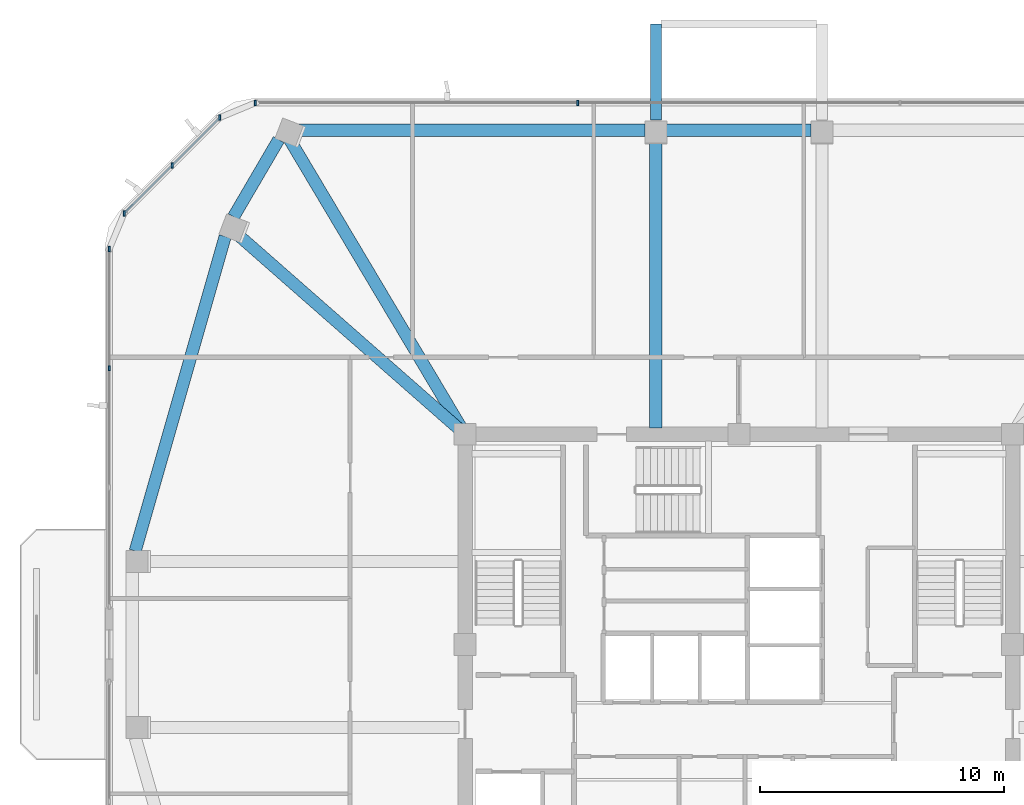
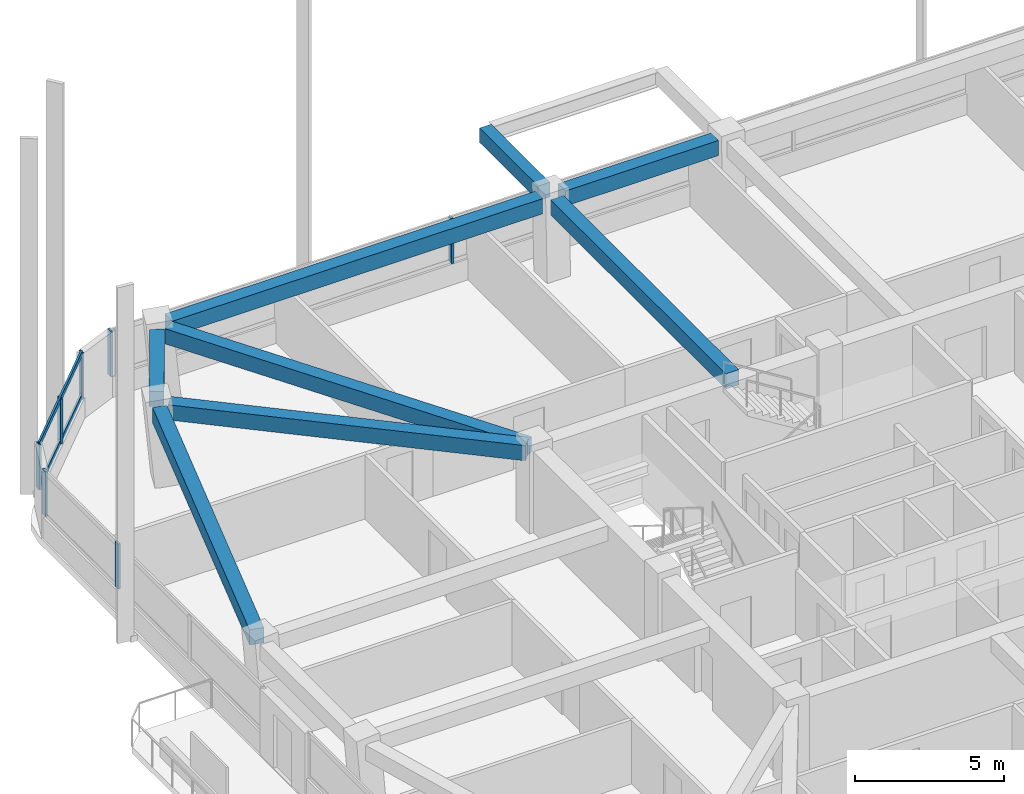
# One storey, part 6 of 17: 9 members, 8 beams, 3 elements without a shape of their own.
"""IFC4 building model written with IfcOpenShell, lengths in metres."""

from ifc_helpers import new_model, si_unit, derived_unit, direction, frame, origin, origin_2d, place, context, subcontext, project, spatial, rectangle, extrude, material, material_profile, profile_set, type_object, element, aggregate, save


model = new_model("IFC4")

# Units and contexts
model_context = context("Model", 3, precision=1e-05, world=origin(), true_north=direction((0.0, 1.0)))
body_context = subcontext(model_context, "Body", "Model", "MODEL_VIEW")
ifc_project = project(units=[si_unit("LENGTHUNIT", "METRE"), si_unit("AREAUNIT", "SQUARE_METRE"), si_unit("VOLUMEUNIT", "CUBIC_METRE"), si_unit("PLANEANGLEUNIT", "RADIAN"), si_unit("MASSUNIT", "GRAM", prefix="KILO"), derived_unit("THERMALTRANSMITTANCEUNIT", [(si_unit("POWERUNIT", "WATT"), 1), (si_unit("LENGTHUNIT", "METRE"), -2), (si_unit("THERMODYNAMICTEMPERATUREUNIT", "KELVIN"), -1)])], contexts=[model_context])

# Site, building, storey
site_placement = place(None, origin())
site = spatial("IfcSite", under=ifc_project, at=site_placement, CompositionType="ELEMENT")
building_placement = place(site_placement, origin())
building = spatial("IfcBuilding", under=site, at=building_placement, Name="Koralith Skygarden Medical Center", CompositionType="ELEMENT")
storey_placement = place(building_placement, frame((0.0, 0.0, 207.179931640625)))
storey = spatial("IfcBuildingStorey", under=building, at=storey_placement, Name="L53", CompositionType="ELEMENT", Elevation=207.179931640625)

# Curtain wall, members
ifc_material_1 = material(Name="Clear Laminated Glass", Category="glass")
curtain_wall_type = type_object("IfcCurtainWallType", Name="CW-5 Zone 4 Flare Biophilic Curtain Wall", PredefinedType="NOTDEFINED", material=ifc_material_1)
curtain_wall_1_placement = place(storey_placement, origin())
curtain_wall_1 = element("IfcCurtainWall", 1, at=curtain_wall_1_placement, inside=storey, type_object=curtain_wall_type, Name="Curtain Wall CW-L53-N", PredefinedType="NOTDEFINED")
ifc_material_2 = material(Name="Aluminium 6063-T6", Category="aluminium")
ifc_material_profile_1 = material_profile(ifc_material_2, rectangle(XDim=0.080078125, YDim=0.219970703125, at=origin_2d()), Name="MUL80X220")
ifc_profile_set_1 = profile_set([ifc_material_profile_1], Name="Aluminium 6063-T6")
member_type_1 = type_object("IfcMemberType", Name="CW-5 Extruded Mullion 80x220", PredefinedType="MULLION", material=ifc_profile_set_1)
member_1_placement = place(storey_placement, frame((30.407958984375, 48.056884765625, 0.85009765625), z_axis=(0.0, 0.0, 1.0), x_axis=(1.0, 0.0, 0.0)))
member_1 = element("IfcMember", 2, at=member_1_placement, type_object=member_type_1, Name="CW-L53-N Mullion 3", PredefinedType="MULLION", context=body_context, shape_type="SweptSolid", body=[
    extrude(rectangle(XDim=0.080078125, YDim=0.219970703125, at=origin_2d()), origin(), (0.0, 0.0, 1.0), 1.840087890625),
])
member_2_placement = place(storey_placement, frame((17.222900390625, 48.056884765625, 0.85009765625), z_axis=(0.0, 0.0, 1.0), x_axis=(1.0, 0.0, 0.0)))
member_2 = element("IfcMember", 3, at=member_2_placement, type_object=member_type_1, Name="CW-L53-N Mullion 4", PredefinedType="MULLION", context=body_context, shape_type="SweptSolid", body=[
    extrude(rectangle(XDim=0.080078125, YDim=0.219970703125, at=origin_2d()), origin(), (0.0, 0.0, 1.0), 1.840087890625),
])
aggregate(curtain_wall_1, [member_1, member_2])

curtain_wall_2_placement = place(storey_placement, origin())
curtain_wall_2 = element("IfcCurtainWall", 4, at=curtain_wall_2_placement, inside=storey, type_object=curtain_wall_type, Name="Curtain Wall CW-L53-NW", PredefinedType="NOTDEFINED")
member_3_placement = place(storey_placement, frame((15.77197265625, 47.4560546875, 0.85009765625), z_axis=(0.0, 0.0, 1.0), x_axis=(1.0, 0.0, 0.0)))
member_3 = element("IfcMember", 5, at=member_3_placement, type_object=member_type_1, Name="CW-L53-NW Mullion 1", PredefinedType="MULLION", context=body_context, shape_type="SweptSolid", body=[
    extrude(rectangle(XDim=0.080078125, YDim=0.219970703125, at=origin_2d()), origin(), (0.0, 0.0, 1.0), 1.840087890625),
])
member_4_placement = place(storey_placement, frame((13.81103515625, 45.4951171875, 0.85009765625), z_axis=(0.0, 0.0, 1.0), x_axis=(1.0, 0.0, 0.0)))
member_4 = element("IfcMember", 6, at=member_4_placement, type_object=member_type_1, Name="CW-L53-NW Mullion 2", PredefinedType="MULLION", context=body_context, shape_type="SweptSolid", body=[
    extrude(rectangle(XDim=0.080078125, YDim=0.219970703125, at=origin_2d()), origin(), (0.0, 0.0, 1.0), 1.840087890625),
])
member_5_placement = place(storey_placement, frame((11.84912109375, 43.532958984375, 0.85009765625), z_axis=(0.0, 0.0, 1.0), x_axis=(1.0, 0.0, 0.0)))
member_5 = element("IfcMember", 7, at=member_5_placement, type_object=member_type_1, Name="CW-L53-NW Mullion 3", PredefinedType="MULLION", context=body_context, shape_type="SweptSolid", body=[
    extrude(rectangle(XDim=0.080078125, YDim=0.219970703125, at=origin_2d()), origin(), (0.0, 0.0, 1.0), 1.840087890625),
])

curtain_wall_3_placement = place(storey_placement, origin())
curtain_wall_3 = element("IfcCurtainWall", 8, at=curtain_wall_3_placement, inside=storey, type_object=curtain_wall_type, Name="Curtain Wall CW-L53-W-L", PredefinedType="NOTDEFINED")
member_6_placement = place(storey_placement, frame((11.2470703125, 42.08203125, 0.85009765625), z_axis=(0.0, 0.0, 1.0), x_axis=(1.0, 0.0, 0.0)))
member_6 = element("IfcMember", 9, at=member_6_placement, type_object=member_type_1, Name="CW-L53-W-L Mullion 1", PredefinedType="MULLION", context=body_context, shape_type="SweptSolid", body=[
    extrude(rectangle(XDim=0.080078125, YDim=0.219970703125, at=origin_2d()), origin(), (0.0, 0.0, 1.0), 1.840087890625),
])
member_7_placement = place(storey_placement, frame((11.2470703125, 37.201904296875, 0.85009765625), z_axis=(0.0, 0.0, 1.0), x_axis=(1.0, 0.0, 0.0)))
member_7 = element("IfcMember", 10, at=member_7_placement, type_object=member_type_1, Name="CW-L53-W-L Mullion 2", PredefinedType="MULLION", context=body_context, shape_type="SweptSolid", body=[
    extrude(rectangle(XDim=0.080078125, YDim=0.219970703125, at=origin_2d()), origin(), (0.0, 0.0, 1.0), 1.840087890625),
])
aggregate(curtain_wall_3, [member_6, member_7])

# Member
ifc_material_profile_2 = material_profile(ifc_material_2, rectangle(XDim=0.074951171875, YDim=0.197998046875, at=origin_2d()), Name="TRN75X198")
ifc_profile_set_2 = profile_set([ifc_material_profile_2], Name="Aluminium 6063-T6")
member_type_2 = type_object("IfcMemberType", Name="CW-5 Thermal Transom 75x198", PredefinedType="USERDEFINED", material=ifc_profile_set_2)
member_8_placement = place(storey_placement, frame((15.77197265625, 47.4560546875, 0.900146484375), z_axis=(-0.707084777957, -0.707128783731, 0.0), x_axis=(0.707128783731, -0.707084777957, 0.0)))
member_8 = element("IfcMember", 11, at=member_8_placement, type_object=member_type_2, Name="CW-L53-NW Transom 1", ObjectType="TRANSOM", PredefinedType="USERDEFINED", context=body_context, shape_type="SweptSolid", body=[
    extrude(rectangle(XDim=0.074951171875, YDim=0.197998046875, at=origin_2d()), origin(), (0.0, 0.0, 1.0), 5.5478515625),
])

member_9_placement = place(storey_placement, frame((15.77197265625, 47.4560546875, 2.64013671875), z_axis=(-0.707084777957, -0.707128783731, 0.0), x_axis=(0.707128783731, -0.707084777957, 0.0)))
member_9 = element("IfcMember", 12, at=member_9_placement, type_object=member_type_2, Name="CW-L53-NW Transom 2", ObjectType="TRANSOM", PredefinedType="USERDEFINED", context=body_context, shape_type="SweptSolid", body=[
    extrude(rectangle(XDim=0.074951171875, YDim=0.197998046875, at=origin_2d()), origin(), (0.0, 0.0, 1.0), 5.5478515625),
])

aggregate(curtain_wall_2, [member_3, member_4, member_5, member_8, member_9])

# Beams
ifc_material_3 = material(Name="Concrete C45/55", Category="concrete")
ifc_material_profile_3 = material_profile(ifc_material_3, rectangle(XDim=0.449951171875, YDim=0.60009765625, at=origin_2d()), Name="RCB450X600")
ifc_profile_set_3 = profile_set([ifc_material_profile_3], Name="Concrete C45/55")
beam_type_1 = type_object("IfcBeamType", Name="Planted Balcony Cantilever Beam RCB450X600", PredefinedType="BEAM", material=ifc_profile_set_3)
beam_1_placement = place(storey_placement, frame((33.60009765625, 47.363037109375, 3.0400390625), z_axis=(0.0, 1.0, 0.0), x_axis=(-1.0, 0.0, 0.0)))
element("IfcBeam", 13, at=beam_1_placement, inside=storey, type_object=beam_type_1, Name="L54 N Balcony Cantilever Beam A", PredefinedType="BEAM", context=body_context, shape_type="SweptSolid", body=[
    extrude(rectangle(XDim=0.449951171875, YDim=0.60009765625, at=origin_2d()), origin(), (0.0, 0.0, 1.0), 3.919921875),
])
ifc_material_profile_4 = material_profile(ifc_material_3, rectangle(XDim=0.5, YDim=0.6201171875, at=origin_2d()), Name="RCB500X620")
ifc_profile_set_4 = profile_set([ifc_material_profile_4], Name="Concrete C45/55")
beam_type_2 = type_object("IfcBeamType", Name="Upper Radial Collector Beam RCB500X620", PredefinedType="BEAM", material=ifc_profile_set_4)
beam_2_placement = place(storey_placement, frame((33.60009765625, 34.75, 3.010009765625), z_axis=(0.0, 1.0, 0.0), x_axis=(-1.0, 0.0, 0.0)))
element("IfcBeam", 14, at=beam_2_placement, inside=storey, type_object=beam_type_2, Name="L53 Radial Collector Beam RB-13", PredefinedType="BEAM", context=body_context, shape_type="SweptSolid", body=[
    extrude(rectangle(XDim=0.5, YDim=0.6201171875, at=origin_2d()), origin(), (0.0, 0.0, 1.0), 11.742919921875),
])
beam_3_placement = place(storey_placement, frame((25.672119140625, 34.715087890625, 3.010009765625), z_axis=(-0.51161903501, 0.859212408555, 0.0), x_axis=(-0.859212408555, -0.51161903501, 0.0)))
element("IfcBeam", 15, at=beam_3_placement, inside=storey, type_object=beam_type_2, Name="L53 Radial Collector Beam RB-14", PredefinedType="BEAM", context=body_context, shape_type="SweptSolid", body=[
    extrude(rectangle(XDim=0.5, YDim=0.6201171875, at=origin_2d()), origin(), (0.0, 0.0, 1.0), 13.77978515625),
])
beam_4_placement = place(storey_placement, frame((25.612060546875, 34.6650390625, 3.010009765625), z_axis=(-0.751405168883, 0.659841096155, 0.0), x_axis=(-0.659841096155, -0.751405168883, 0.0)))
element("IfcBeam", 16, at=beam_4_placement, inside=storey, type_object=beam_type_2, Name="L53 Radial Collector Beam RB-15", PredefinedType="BEAM", context=body_context, shape_type="SweptSolid", body=[
    extrude(rectangle(XDim=0.5, YDim=0.6201171875, at=origin_2d()), origin(), (0.0, 0.0, 1.0), 12.2119140625),
])
ifc_material_profile_5 = material_profile(ifc_material_3, rectangle(XDim=0.5, YDim=0.6201171875, at=origin_2d()), Name="RCB500X620")
ifc_profile_set_5 = profile_set([ifc_material_profile_5], Name="Concrete C45/55")
beam_type_3 = type_object("IfcBeamType", Name="Zone 4-5 Spandrel Beam RCB500X620", PredefinedType="SPANDREL", material=ifc_profile_set_5)
beam_5_placement = place(storey_placement, frame((39.9599609375, 46.93310546875, 3.010009765625), z_axis=(-1.0, 0.0, 0.0), x_axis=(0.0, -1.0, 0.0)))
element("IfcBeam", 17, at=beam_5_placement, inside=storey, type_object=beam_type_3, Name="L53 Perimeter Spandrel Beam SP-12", PredefinedType="SPANDREL", context=body_context, shape_type="SweptSolid", body=[
    extrude(rectangle(XDim=0.5, YDim=0.6201171875, at=origin_2d()), origin(), (0.0, 0.0, 1.0), 5.919921875),
])
beam_6_placement = place(storey_placement, frame((33.159912109375, 46.93310546875, 3.010009765625), z_axis=(-1.0, 0.0, 0.0), x_axis=(0.0, -1.0, 0.0)))
element("IfcBeam", 18, at=beam_6_placement, inside=storey, type_object=beam_type_3, Name="L53 Perimeter Spandrel Beam SP-13", PredefinedType="SPANDREL", context=body_context, shape_type="SweptSolid", body=[
    extrude(rectangle(XDim=0.5, YDim=0.6201171875, at=origin_2d()), origin(), (0.0, 0.0, 1.0), 14.322998046875),
])
beam_7_placement = place(storey_placement, frame((18.175048828125, 46.552978515625, 3.010009765625), z_axis=(-0.504861750403, -0.863200216045, 0.0), x_axis=(0.863200216045, -0.504861750403, 0.0)))
element("IfcBeam", 19, at=beam_7_placement, inside=storey, type_object=beam_type_3, Name="L53 Perimeter Spandrel Beam SP-14", PredefinedType="SPANDREL", context=body_context, shape_type="SweptSolid", body=[
    extrude(rectangle(XDim=0.5, YDim=0.6201171875, at=origin_2d()), origin(), (0.0, 0.0, 1.0), 3.66064453125),
])
beam_8_placement = place(storey_placement, frame((15.98388671875, 42.590087890625, 3.010009765625), z_axis=(-0.274834371749, -0.961491585041, 0.0), x_axis=(0.961491585041, -0.274834371749, 0.0)))
element("IfcBeam", 20, at=beam_8_placement, inside=storey, type_object=beam_type_3, Name="L53 Perimeter Spandrel Beam SP-15", PredefinedType="SPANDREL", context=body_context, shape_type="SweptSolid", body=[
    extrude(rectangle(XDim=0.5, YDim=0.6201171875, at=origin_2d()), origin(), (0.0, 0.0, 1.0), 13.382568359375),
])

save(model, "model.ifc")
